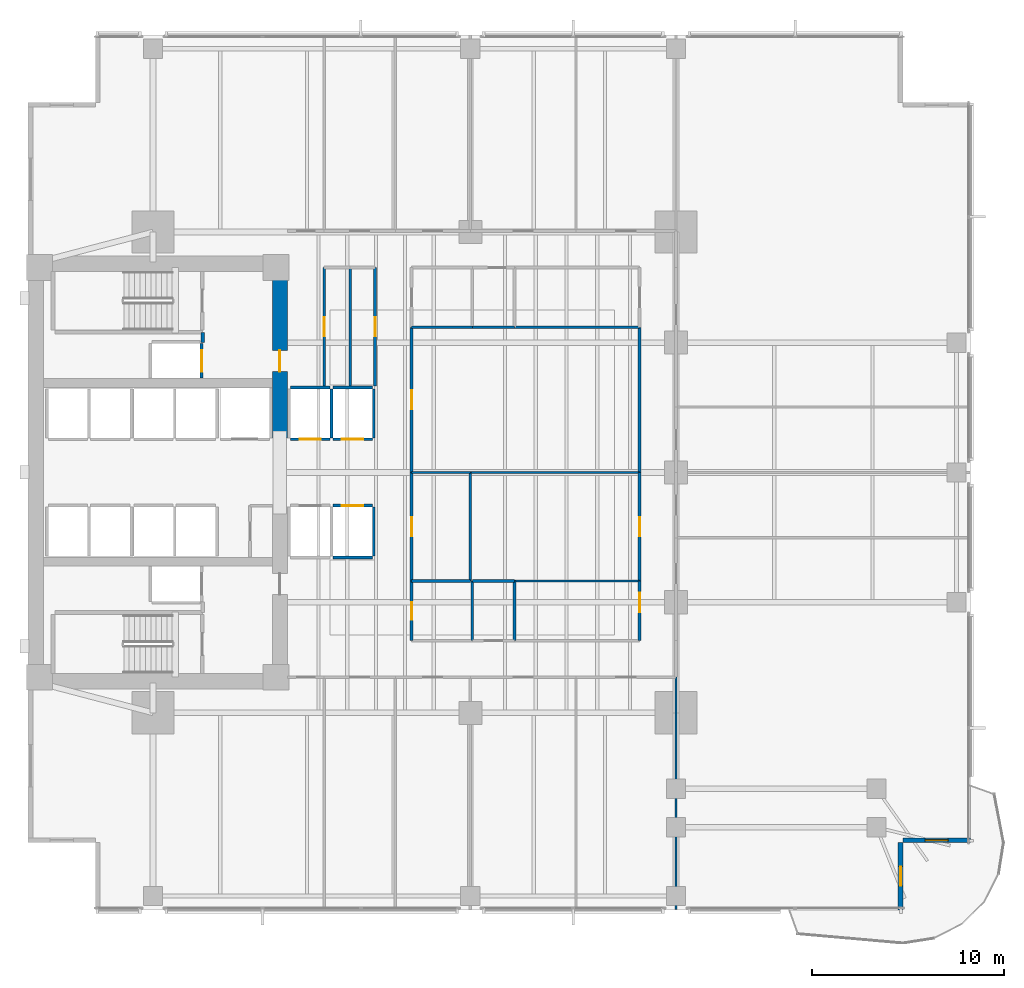
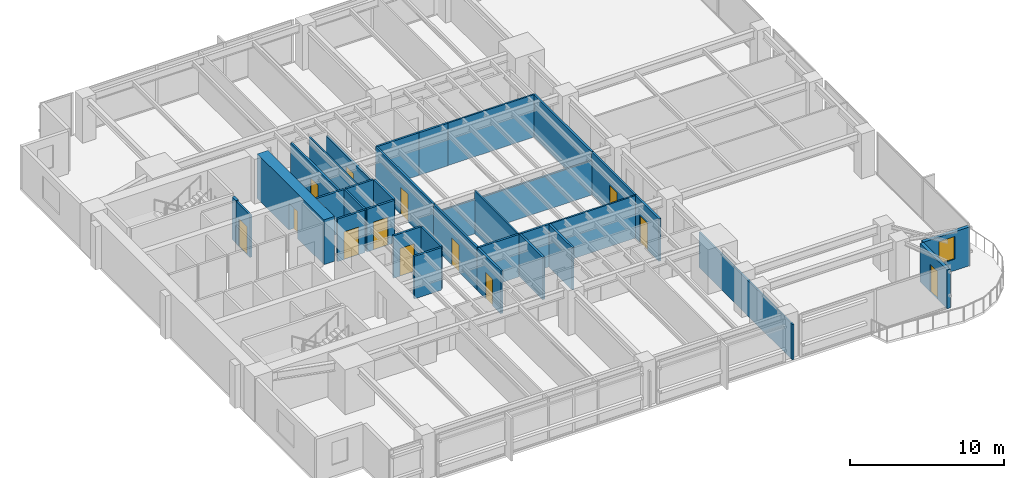
# One storey, part 9 of 15: 35 walls, 13 doors, 1 window, 14 openings.
"""IFC4 building model written with IfcOpenShell, lengths in metres."""

from ifc_helpers import new_model, si_unit, direction, frame, frame_2d, origin, place, context, subcontext, project, spatial, rectangle, extrude, material, layer, layer_set, type_object, element, fill, save


model = new_model("IFC4")

# Units and contexts
model_context = context("Model", 3, precision=1e-05, world=origin(), true_north=direction((0.0, 1.0)))
body_context = subcontext(model_context, "Body", "Model", "MODEL_VIEW")
ifc_project = project(units=[si_unit("LENGTHUNIT", "METRE"), si_unit("AREAUNIT", "SQUARE_METRE"), si_unit("VOLUMEUNIT", "CUBIC_METRE"), si_unit("PLANEANGLEUNIT", "RADIAN"), si_unit("MASSUNIT", "GRAM", prefix="KILO")], contexts=[model_context])

# Site, building, storey
site_placement = place(None, origin())
site = spatial("IfcSite", under=ifc_project, at=site_placement, CompositionType="ELEMENT")
building_placement = place(site_placement, origin())
building = spatial("IfcBuilding", under=site, at=building_placement, Name="Kinhvarn Gate Tower", CompositionType="ELEMENT")
storey_placement = place(building_placement, frame((0.0, 0.0, 57.550048828125)))
storey = spatial("IfcBuildingStorey", under=building, at=storey_placement, Name="L14", CompositionType="ELEMENT", Elevation=57.550048828125)

# Wall, opening, door
ifc_material_1 = material(Name="Concrete C70/85", Category="concrete")
ifc_layer_1 = layer(ifc_material_1, 0.800048828125)
ifc_layer_set_1 = layer_set([ifc_layer_1], Name="Concrete C70/85")
wall_type_1 = type_object("IfcWallType", Name="WL-CORE-800", PredefinedType="SHEAR", material=ifc_layer_set_1)
wall_1_placement = place(storey_placement, frame((17.60009765625, 27.050048828125, 0.0), z_axis=(0.0, 0.0, 1.0), x_axis=(0.0, 1.0, 0.0)))
wall_1 = element("IfcWall", 1, at=wall_1_placement, inside=storey, type_object=wall_type_1, Name="Core East-North Shear Pier L14 800 mm", PredefinedType="SHEAR", context=body_context, shape_type="SweptSolid", body=[
    extrude(rectangle(XDim=8.64990234375, YDim=0.800048828125, at=frame_2d((4.324951171875, 0.0))), origin(), (0.0, 0.0, 1.0), 3.550048828125),
])
opening_1_placement = place(wall_1_placement, frame((3.449951171875, 0.0, 0.0)))
opening_1 = element("IfcOpeningElement", 2, at=opening_1_placement, cuts=wall_1, Name="Opening FD-02", PredefinedType="OPENING", context=body_context, shape_type="SweptSolid", body=[
    extrude(rectangle(XDim=1.10009765625, YDim=2.14990234375, at=frame_2d((0.550048828125, 1.074951171875))), frame((0.0, 0.41015625, 0.0), z_axis=(0.0, -1.0, 0.0), x_axis=(1.0, 0.0, 0.0)), (0.0, 0.0, 1.0), 0.820068359375),
])
ifc_material_2 = material(Name="Anodised aluminium AW-6063", Category="aluminium")
door_type_1 = type_object("IfcDoorType", Name="DR-FD-1100", OperationType="NOTDEFINED", PredefinedType="DOOR", material=ifc_material_2)
door_1_placement = place(opening_1_placement, origin())
door_1 = element("IfcDoor", 3, at=door_1_placement, inside=storey, type_object=door_type_1, Name="Firefighting Lobby Core Door (L14)", OperationType="SINGLE_SWING_LEFT", OverallHeight=2.14990234375, OverallWidth=1.10009765625, PredefinedType="DOOR", context=body_context, shape_type="SweptSolid", body=[
    extrude(rectangle(XDim=1.10009765625, YDim=2.14990234375, at=frame_2d((0.550048828125, 1.074951171875))), frame((0.0, 0.02490234375, 0.0), z_axis=(0.0, -1.0, 0.0), x_axis=(1.0, 0.0, 0.0)), (0.0, 0.0, 1.0), 0.050048828125),
])
fill(opening_1, door_1)

ifc_material_3 = material(Name="Fired architectural terracotta", Category="masonry")
ifc_layer_2 = layer(ifc_material_3, 0.25)
ifc_layer_set_2 = layer_set([ifc_layer_2], Name="Fired architectural terracotta")
wall_type_2 = type_object("IfcWallType", Name="WL-EXT-250", PredefinedType="SOLIDWALL", material=ifc_layer_set_2)
wall_2_placement = place(storey_placement, frame((49.875, 2.5, 0.0), z_axis=(0.0, 0.0, 1.0), x_axis=(0.0, 1.0, 0.0)))
wall_2 = element("IfcWall", 4, at=wall_2_placement, inside=storey, type_object=wall_type_2, Name="Exterior Solidwall Wall EW-250 (L14 SE-Notch-Door)", PredefinedType="SOLIDWALL", context=body_context, shape_type="SweptSolid", body=[
    extrude(rectangle(XDim=3.5, YDim=0.25, at=frame_2d((1.75, 0.0))), origin(), (0.0, 0.0, 1.0), 3.070068359375),
])
opening_2_placement = place(wall_2_placement, frame((1.25, 0.0, 0.0)))
opening_2 = element("IfcOpeningElement", 5, at=opening_2_placement, cuts=wall_2, Name="Opening BD-01", PredefinedType="OPENING", context=body_context, shape_type="SweptSolid", body=[
    extrude(rectangle(XDim=1.0, YDim=2.199951171875, at=frame_2d((0.5, 1.10009765625))), frame((0.0, 0.135009765625, 0.0), z_axis=(0.0, -1.0, 0.0), x_axis=(1.0, 0.0, 0.0)), (0.0, 0.0, 1.0), 0.27001953125),
])
ifc_material_4 = material(Name="Clear low-e double glazing", Category="glass")
door_type_2 = type_object("IfcDoorType", Name="DR-BAL-1000", OperationType="NOTDEFINED", PredefinedType="DOOR", material=ifc_material_4)
door_2_placement = place(opening_2_placement, frame((1.0, 0.0, 0.0), z_axis=(0.0, 0.0, 1.0), x_axis=(-1.0, 0.0, 0.0)))
door_2 = element("IfcDoor", 6, at=door_2_placement, inside=storey, type_object=door_type_2, Name="S-Carve Balcony Door BD-01 (L14)", OperationType="SINGLE_SWING_LEFT", OverallHeight=2.199951171875, OverallWidth=1.0, PredefinedType="DOOR", context=body_context, shape_type="SweptSolid", body=[
    extrude(rectangle(XDim=1.0, YDim=2.199951171875, at=frame_2d((0.5, 1.10009765625))), frame((0.0, 0.02490234375, 0.0), z_axis=(0.0, -1.0, 0.0), x_axis=(1.0, 0.0, 0.0)), (0.0, 0.0, 1.0), 0.050048828125),
])
fill(opening_2, door_2)

# Wall, opening, window
wall_3_placement = place(storey_placement, frame((50.0, 6.125, 0.0), z_axis=(0.0, 0.0, 1.0), x_axis=(1.0, 0.0, 0.0)))
wall_3 = element("IfcWall", 7, at=wall_3_placement, inside=storey, type_object=wall_type_2, Name="Exterior Solidwall Wall EW-250 (L14 SE-Notch-Win)", PredefinedType="SOLIDWALL", context=body_context, shape_type="SweptSolid", body=[
    extrude(rectangle(XDim=3.5, YDim=0.25, at=frame_2d((1.75, 0.0))), origin(), (0.0, 0.0, 1.0), 3.070068359375),
])
opening_3_placement = place(wall_3_placement, frame((1.14990234375, 0.0, 0.89990234375)))
opening_3 = element("IfcOpeningElement", 8, at=opening_3_placement, cuts=wall_3, Name="Opening WN-02", PredefinedType="OPENING", context=body_context, shape_type="SweptSolid", body=[
    extrude(rectangle(XDim=1.199951171875, YDim=1.800048828125, at=frame_2d((0.60009765625, 0.89990234375))), frame((0.0, 0.135009765625, 0.0), z_axis=(0.0, -1.0, 0.0), x_axis=(1.0, 0.0, 0.0)), (0.0, 0.0, 1.0), 0.27001953125),
])
window_type = type_object("IfcWindowType", Name="WIN-NTC-1200", PartitioningType="SINGLE_PANEL", PredefinedType="WINDOW", material=ifc_material_4)
window_placement = place(opening_3_placement, origin())
window = element("IfcWindow", 9, at=window_placement, inside=storey, type_object=window_type, Name="Recessed Corner Notch Punched Window 1200x1800 mm (L14)", OverallHeight=1.800048828125, OverallWidth=1.199951171875, PartitioningType="SINGLE_PANEL", PredefinedType="WINDOW", context=body_context, shape_type="SweptSolid", body=[
    extrude(rectangle(XDim=1.199951171875, YDim=1.800048828125, at=frame_2d((0.60009765625, 0.89990234375))), frame((0.0, 0.030029296875, 0.0), z_axis=(0.0, -1.0, 0.0), x_axis=(1.0, 0.0, 0.0)), (0.0, 0.0, 1.0), 0.06005859375),
])
fill(opening_3, window)

# Walls
ifc_material_5 = material(Name="Gypsum acoustic partition board")
ifc_layer_3 = layer(ifc_material_5, 0.14990234375)
ifc_layer_set_3 = layer_set([ifc_layer_3], Name="Gypsum acoustic partition board")
wall_type_3 = type_object("IfcWallType", Name="WL-PLM-150", PredefinedType="PLUMBINGWALL", material=ifc_layer_set_3)
wall_4_placement = place(storey_placement, frame((27.60009765625, 16.5, 0.0), z_axis=(0.0, 0.0, 1.0), x_axis=(0.0, 1.0, 0.0)))
element("IfcWall", 10, at=wall_4_placement, inside=storey, type_object=wall_type_3, Name="Interior Partition PLW-150 (L14)", PredefinedType="PLUMBINGWALL", context=body_context, shape_type="SweptSolid", body=[
    extrude(rectangle(XDim=3.10009765625, YDim=0.14990234375, at=frame_2d((1.550048828125, 0.0))), origin(), (0.0, 0.0, 1.0), 3.369873046875),
])
wall_5_placement = place(storey_placement, frame((24.449951171875, 19.60009765625, 0.0), z_axis=(0.0, 0.0, 1.0), x_axis=(1.0, 0.0, 0.0)))
element("IfcWall", 11, at=wall_5_placement, inside=storey, type_object=wall_type_3, Name="Interior Partition PLW-150 (L14)", PredefinedType="PLUMBINGWALL", context=body_context, shape_type="SweptSolid", body=[
    extrude(rectangle(XDim=3.050048828125, YDim=0.14990234375, at=frame_2d((1.52490234375, 0.0))), origin(), (0.0, 0.0, 1.0), 3.369873046875),
])
wall_6_placement = place(storey_placement, frame((24.449951171875, 32.800048828125, 0.0), z_axis=(0.0, 0.0, 1.0), x_axis=(1.0, 0.0, 0.0)))
element("IfcWall", 12, at=wall_6_placement, inside=storey, type_object=wall_type_3, Name="Interior Partition PLW-150 (L14)", PredefinedType="PLUMBINGWALL", context=body_context, shape_type="SweptSolid", body=[
    extrude(rectangle(XDim=3.150146484375, YDim=0.14990234375, at=frame_2d((1.5751953125, 0.0))), origin(), (0.0, 0.0, 1.0), 3.369873046875),
])
wall_7_placement = place(storey_placement, frame((29.800048828125, 16.5, 0.0), z_axis=(0.0, 0.0, 1.0), x_axis=(0.0, 1.0, 0.0)))
element("IfcWall", 13, at=wall_7_placement, inside=storey, type_object=wall_type_3, Name="Interior Partition PLW-150 (L14)", PredefinedType="PLUMBINGWALL", context=body_context, shape_type="SweptSolid", body=[
    extrude(rectangle(XDim=3.10009765625, YDim=0.14990234375, at=frame_2d((1.550048828125, 0.0))), origin(), (0.0, 0.0, 1.0), 3.369873046875),
])
for number, where, z_axis, x_axis, name in (
    (14, (27.60009765625, 19.60009765625, 0.0), (0.0, 0.0, 1.0), (1.0, 0.0, 0.0), "Interior Partition PLW-150 (L14)"),
    (15, (27.60009765625, 32.800048828125, 0.0), (0.0, 0.0, 1.0), (1.0, 0.0, 0.0), "Interior Partition PLW-150 (L14)"),
):
    element("IfcWall", number, at=place(storey_placement, frame(where, z_axis=z_axis, x_axis=x_axis)), inside=storey, type_object=wall_type_3, Name=name, PredefinedType="PLUMBINGWALL", context=body_context, shape_type="SweptSolid", body=[
        extrude(rectangle(XDim=2.199951171875, YDim=0.14990234375, at=frame_2d((1.10009765625, 0.0))), origin(), (0.0, 0.0, 1.0), 3.369873046875),
    ])

# Wall, opening, door
ifc_layer_4 = layer(ifc_material_5, 0.14990234375)
ifc_layer_set_4 = layer_set([ifc_layer_4], Name="Gypsum acoustic partition board")
wall_type_4 = type_object("IfcWallType", Name="WL-PLM-150F", PredefinedType="PLUMBINGWALL", material=ifc_layer_set_4)
wall_8_placement = place(storey_placement, frame((24.449951171875, 16.5, 0.0), z_axis=(0.0, 0.0, 1.0), x_axis=(0.0, 1.0, 0.0)))
wall_8 = element("IfcWall", 16, at=wall_8_placement, inside=storey, type_object=wall_type_4, Name="Interior Partition PLW-150F (L14)", PredefinedType="PLUMBINGWALL", context=body_context, shape_type="SweptSolid", body=[
    extrude(rectangle(XDim=3.10009765625, YDim=0.14990234375, at=frame_2d((1.550048828125, 0.0))), origin(), (0.0, 0.0, 1.0), 3.369873046875),
])
opening_4_placement = place(wall_8_placement, frame((1.10009765625, 0.0, 0.0)))
opening_4 = element("IfcOpeningElement", 17, at=opening_4_placement, cuts=wall_8, Name="Opening FD-04", PredefinedType="OPENING", context=body_context, shape_type="SweptSolid", body=[
    extrude(rectangle(XDim=0.89990234375, YDim=2.10009765625, at=frame_2d((0.449951171875, 1.050048828125))), frame((0.0, 0.0849609375, 0.0), z_axis=(0.0, -1.0, 0.0), x_axis=(1.0, 0.0, 0.0)), (0.0, 0.0, 1.0), 0.169921875),
])
door_type_3 = type_object("IfcDoorType", Name="DR-FD-900", OperationType="NOTDEFINED", PredefinedType="DOOR", material=ifc_material_2)
door_3_placement = place(opening_4_placement, origin())
door_3 = element("IfcDoor", 18, at=door_3_placement, inside=storey, type_object=door_type_3, Name="Rated Riser & Service Closet Fire Door 900x2100 mm (L14)", OperationType="SINGLE_SWING_RIGHT", OverallHeight=2.10009765625, OverallWidth=0.89990234375, PredefinedType="DOOR", context=body_context, shape_type="SweptSolid", body=[
    extrude(rectangle(XDim=0.89990234375, YDim=2.10009765625, at=frame_2d((0.449951171875, 1.050048828125))), frame((0.0, 0.02490234375, 0.0), z_axis=(0.0, -1.0, 0.0), x_axis=(1.0, 0.0, 0.0)), (0.0, 0.0, 1.0), 0.050048828125),
])
fill(opening_4, door_3)

# Walls
ifc_layer_5 = layer(ifc_material_5, 0.1201171875)
ifc_layer_set_5 = layer_set([ifc_layer_5], Name="Gypsum acoustic partition board")
wall_type_5 = type_object("IfcWallType", Name="WL-PRT-120", PredefinedType="PARTITIONING", material=ifc_layer_set_5)
wall_9_placement = place(storey_placement, frame((21.25, 29.75, 0.0), z_axis=(0.0, 0.0, 1.0), x_axis=(0.0, 1.0, 0.0)))
element("IfcWall", 19, at=wall_9_placement, inside=storey, type_object=wall_type_5, Name="Interior Partition PW-120 (L14)", PredefinedType="PARTITIONING", context=body_context, shape_type="SweptSolid", body=[
    extrude(rectangle(XDim=6.14990234375, YDim=0.1201171875, at=frame_2d((3.074951171875, 0.0))), origin(), (0.0, 0.0, 1.0), 3.369873046875),
])
for number, where, z_axis, x_axis, name in (
    (20, (29.800048828125, 19.60009765625, 0.0), (0.0, 0.0, 1.0), (1.0, 0.0, 0.0), "Interior Partition PW-120 (L14)"),
    (21, (29.800048828125, 32.800048828125, 0.0), (0.0, 0.0, 1.0), (1.0, 0.0, 0.0), "Interior Partition PW-120 (L14)"),
):
    element("IfcWall", number, at=place(storey_placement, frame(where, z_axis=z_axis, x_axis=x_axis)), inside=storey, type_object=wall_type_5, Name=name, PredefinedType="PARTITIONING", context=body_context, shape_type="SweptSolid", body=[
        extrude(rectangle(XDim=6.5, YDim=0.1201171875, at=frame_2d((3.25, 0.0))), origin(), (0.0, 0.0, 1.0), 3.369873046875),
    ])
wall_10_placement = place(storey_placement, frame((27.5, 19.60009765625, 0.0), z_axis=(0.0, 0.0, 1.0), x_axis=(0.0, 1.0, 0.0)))
element("IfcWall", 22, at=wall_10_placement, inside=storey, type_object=wall_type_5, Name="Interior Partition PW-120 (L14)", PredefinedType="PARTITIONING", context=body_context, shape_type="SweptSolid", body=[
    extrude(rectangle(XDim=5.64990234375, YDim=0.1201171875, at=frame_2d((2.824951171875, 0.0))), origin(), (0.0, 0.0, 1.0), 3.369873046875),
])
wall_11_placement = place(storey_placement, frame((24.449951171875, 25.25, 0.0), z_axis=(0.0, 0.0, 1.0), x_axis=(1.0, 0.0, 0.0)))
element("IfcWall", 23, at=wall_11_placement, inside=storey, type_object=wall_type_5, Name="Interior Partition PW-120 (L14)", PredefinedType="PARTITIONING", context=body_context, shape_type="SweptSolid", body=[
    extrude(rectangle(XDim=3.050048828125, YDim=0.1201171875, at=frame_2d((1.52490234375, 0.0))), origin(), (0.0, 0.0, 1.0), 2.719970703125),
])
wall_12_placement = place(storey_placement, frame((27.5, 25.25, 0.0), z_axis=(0.0, 0.0, 1.0), x_axis=(1.0, 0.0, 0.0)))
element("IfcWall", 24, at=wall_12_placement, inside=storey, type_object=wall_type_5, Name="Interior Partition PW-120 (L14)", PredefinedType="PARTITIONING", context=body_context, shape_type="SweptSolid", body=[
    extrude(rectangle(XDim=8.800048828125, YDim=0.1201171875, at=frame_2d((4.39990234375, 0.0))), origin(), (0.0, 0.0, 1.0), 2.719970703125),
])
wall_13_placement = place(storey_placement, frame((38.199951171875, 2.510009765625, 0.0), z_axis=(0.0, 0.0, 1.0), x_axis=(0.0, 1.0, 0.0)))
element("IfcWall", 25, at=wall_13_placement, inside=storey, type_object=wall_type_5, Name="Interior Partition PW-120 (L14)", PredefinedType="PARTITIONING", context=body_context, shape_type="SweptSolid", body=[
    extrude(rectangle(XDim=12.090087890625, YDim=0.1201171875, at=frame_2d((6.044921875, 0.0))), origin(), (0.0, 0.0, 1.0), 2.820068359375),
])

# Wall, opening, door
ifc_layer_6 = layer(ifc_material_5, 0.14990234375)
ifc_layer_set_6 = layer_set([ifc_layer_6], Name="Gypsum acoustic partition board")
wall_type_6 = type_object("IfcWallType", Name="WL-PRT-150F", PredefinedType="PARTITIONING", material=ifc_layer_set_6)
wall_14_placement = place(storey_placement, frame((22.550048828125, 29.75, 0.0), z_axis=(0.0, 0.0, 1.0), x_axis=(0.0, 1.0, 0.0)))
wall_14 = element("IfcWall", 26, at=wall_14_placement, inside=storey, type_object=wall_type_6, Name="Interior Partition PW-150F (L14)", PredefinedType="PARTITIONING", context=body_context, shape_type="SweptSolid", body=[
    extrude(rectangle(XDim=6.14990234375, YDim=0.14990234375, at=frame_2d((3.074951171875, 0.0))), origin(), (0.0, 0.0, 1.0), 3.010009765625),
])
opening_5_placement = place(wall_14_placement, frame((2.574951171875, 0.0, 0.0)))
opening_5 = element("IfcOpeningElement", 27, at=opening_5_placement, cuts=wall_14, Name="Opening ID-02", PredefinedType="OPENING", context=body_context, shape_type="SweptSolid", body=[
    extrude(rectangle(XDim=1.0, YDim=2.14990234375, at=frame_2d((0.5, 1.074951171875))), frame((0.0, 0.0849609375, 0.0), z_axis=(0.0, -1.0, 0.0), x_axis=(1.0, 0.0, 0.0)), (0.0, 0.0, 1.0), 0.169921875),
])
door_type_4 = type_object("IfcDoorType", Name="DR-INT-1000", OperationType="NOTDEFINED", PredefinedType="DOOR", material=ifc_material_2)
door_4_placement = place(opening_5_placement, origin())
door_4 = element("IfcDoor", 28, at=door_4_placement, inside=storey, type_object=door_type_4, Name="Standard Office & Meeting Room Door 1000x2150 mm (L14)", OperationType="SINGLE_SWING_LEFT", OverallHeight=2.14990234375, OverallWidth=1.0, PredefinedType="DOOR", context=body_context, shape_type="SweptSolid", body=[
    extrude(rectangle(XDim=1.0, YDim=2.14990234375, at=frame_2d((0.5, 1.074951171875))), frame((0.0, 0.02490234375, 0.0), z_axis=(0.0, -1.0, 0.0), x_axis=(1.0, 0.0, 0.0)), (0.0, 0.0, 1.0), 0.050048828125),
])
fill(opening_5, door_4)

wall_15_placement = place(storey_placement, frame((24.449951171875, 19.60009765625, 0.0), z_axis=(0.0, 0.0, 1.0), x_axis=(0.0, 1.0, 0.0)))
wall_15 = element("IfcWall", 29, at=wall_15_placement, inside=storey, type_object=wall_type_6, Name="Interior Partition PW-150F (L14)", PredefinedType="PARTITIONING", context=body_context, shape_type="SweptSolid", body=[
    extrude(rectangle(XDim=5.64990234375, YDim=0.14990234375, at=frame_2d((2.824951171875, 0.0))), origin(), (0.0, 0.0, 1.0), 3.369873046875),
])
opening_6_placement = place(wall_15_placement, frame((2.324951171875, 0.0, 0.0)))
opening_6 = element("IfcOpeningElement", 30, at=opening_6_placement, cuts=wall_15, Name="Opening ID-02", PredefinedType="OPENING", context=body_context, shape_type="SweptSolid", body=[
    extrude(rectangle(XDim=1.0, YDim=2.14990234375, at=frame_2d((0.5, 1.074951171875))), frame((0.0, 0.0849609375, 0.0), z_axis=(0.0, -1.0, 0.0), x_axis=(1.0, 0.0, 0.0)), (0.0, 0.0, 1.0), 0.169921875),
])
door_5_placement = place(opening_6_placement, origin())
door_5 = element("IfcDoor", 31, at=door_5_placement, inside=storey, type_object=door_type_4, Name="Standard Office & Meeting Room Door 1000x2150 mm (L14)", OperationType="SINGLE_SWING_RIGHT", OverallHeight=2.14990234375, OverallWidth=1.0, PredefinedType="DOOR", context=body_context, shape_type="SweptSolid", body=[
    extrude(rectangle(XDim=1.0, YDim=2.14990234375, at=frame_2d((0.5, 1.074951171875))), frame((0.0, 0.02490234375, 0.0), z_axis=(0.0, -1.0, 0.0), x_axis=(1.0, 0.0, 0.0)), (0.0, 0.0, 1.0), 0.050048828125),
])
fill(opening_6, door_5)

wall_16_placement = place(storey_placement, frame((24.449951171875, 25.25, 0.0), z_axis=(0.0, 0.0, 1.0), x_axis=(0.0, 1.0, 0.0)))
wall_16 = element("IfcWall", 32, at=wall_16_placement, inside=storey, type_object=wall_type_6, Name="Interior Partition PW-150F (L14)", PredefinedType="PARTITIONING", context=body_context, shape_type="SweptSolid", body=[
    extrude(rectangle(XDim=7.550048828125, YDim=0.14990234375, at=frame_2d((3.77490234375, 0.0))), origin(), (0.0, 0.0, 1.0), 3.369873046875),
])
opening_7_placement = place(wall_16_placement, frame((3.27490234375, 0.0, 0.0)))
opening_7 = element("IfcOpeningElement", 33, at=opening_7_placement, cuts=wall_16, Name="Opening ID-02", PredefinedType="OPENING", context=body_context, shape_type="SweptSolid", body=[
    extrude(rectangle(XDim=1.0, YDim=2.14990234375, at=frame_2d((0.5, 1.074951171875))), frame((0.0, 0.0849609375, 0.0), z_axis=(0.0, -1.0, 0.0), x_axis=(1.0, 0.0, 0.0)), (0.0, 0.0, 1.0), 0.169921875),
])
door_6_placement = place(opening_7_placement, origin())
door_6 = element("IfcDoor", 34, at=door_6_placement, inside=storey, type_object=door_type_4, Name="Standard Office & Meeting Room Door 1000x2150 mm (L14)", OperationType="SINGLE_SWING_LEFT", OverallHeight=2.14990234375, OverallWidth=1.0, PredefinedType="DOOR", context=body_context, shape_type="SweptSolid", body=[
    extrude(rectangle(XDim=1.0, YDim=2.14990234375, at=frame_2d((0.5, 1.074951171875))), frame((0.0, 0.02490234375, 0.0), z_axis=(0.0, -1.0, 0.0), x_axis=(1.0, 0.0, 0.0)), (0.0, 0.0, 1.0), 0.050048828125),
])
fill(opening_7, door_6)

wall_17_placement = place(storey_placement, frame((19.89990234375, 29.75, 0.0), z_axis=(0.0, 0.0, 1.0), x_axis=(0.0, 1.0, 0.0)))
wall_17 = element("IfcWall", 35, at=wall_17_placement, inside=storey, type_object=wall_type_6, Name="Interior Partition PW-150F (L14)", PredefinedType="PARTITIONING", context=body_context, shape_type="SweptSolid", body=[
    extrude(rectangle(XDim=6.14990234375, YDim=0.14990234375, at=frame_2d((3.074951171875, 0.0))), origin(), (0.0, 0.0, 1.0), 3.369873046875),
])
opening_8_placement = place(wall_17_placement, frame((2.574951171875, 0.0, 0.0)))
opening_8 = element("IfcOpeningElement", 36, at=opening_8_placement, cuts=wall_17, Name="Opening ID-02", PredefinedType="OPENING", context=body_context, shape_type="SweptSolid", body=[
    extrude(rectangle(XDim=1.0, YDim=2.14990234375, at=frame_2d((0.5, 1.074951171875))), frame((0.0, 0.0849609375, 0.0), z_axis=(0.0, -1.0, 0.0), x_axis=(1.0, 0.0, 0.0)), (0.0, 0.0, 1.0), 0.169921875),
])
door_7_placement = place(opening_8_placement, origin())
door_7 = element("IfcDoor", 37, at=door_7_placement, inside=storey, type_object=door_type_4, Name="Standard Office & Meeting Room Door 1000x2150 mm (L14)", OperationType="SINGLE_SWING_RIGHT", OverallHeight=2.14990234375, OverallWidth=1.0, PredefinedType="DOOR", context=body_context, shape_type="SweptSolid", body=[
    extrude(rectangle(XDim=1.0, YDim=2.14990234375, at=frame_2d((0.5, 1.074951171875))), frame((0.0, 0.02490234375, 0.0), z_axis=(0.0, -1.0, 0.0), x_axis=(1.0, 0.0, 0.0)), (0.0, 0.0, 1.0), 0.050048828125),
])
fill(opening_8, door_7)

wall_18_placement = place(storey_placement, frame((36.300048828125, 16.5, 0.0), z_axis=(0.0, 0.0, 1.0), x_axis=(0.0, 1.0, 0.0)))
wall_18 = element("IfcWall", 38, at=wall_18_placement, inside=storey, type_object=wall_type_6, Name="Interior Partition PW-150F (L14)", PredefinedType="PARTITIONING", context=body_context, shape_type="SweptSolid", body=[
    extrude(rectangle(XDim=3.10009765625, YDim=0.14990234375, at=frame_2d((1.550048828125, 0.0))), origin(), (0.0, 0.0, 1.0), 3.369873046875),
])
opening_9_placement = place(wall_18_placement, frame((1.485107421875, 0.0, 0.0)))
opening_9 = element("IfcOpeningElement", 39, at=opening_9_placement, cuts=wall_18, Name="Opening ID-02", PredefinedType="OPENING", context=body_context, shape_type="SweptSolid", body=[
    extrude(rectangle(XDim=1.0, YDim=2.14990234375, at=frame_2d((0.5, 1.074951171875))), frame((0.0, 0.0849609375, 0.0), z_axis=(0.0, -1.0, 0.0), x_axis=(1.0, 0.0, 0.0)), (0.0, 0.0, 1.0), 0.169921875),
])
door_8_placement = place(opening_9_placement, origin())
door_8 = element("IfcDoor", 40, at=door_8_placement, inside=storey, type_object=door_type_4, Name="Standard Office & Meeting Room Door 1000x2150 mm (L14)", OperationType="SINGLE_SWING_LEFT", OverallHeight=2.14990234375, OverallWidth=1.0, PredefinedType="DOOR", context=body_context, shape_type="SweptSolid", body=[
    extrude(rectangle(XDim=1.0, YDim=2.14990234375, at=frame_2d((0.5, 1.074951171875))), frame((0.0, 0.02490234375, 0.0), z_axis=(0.0, -1.0, 0.0), x_axis=(1.0, 0.0, 0.0)), (0.0, 0.0, 1.0), 0.050048828125),
])
fill(opening_9, door_8)

wall_19_placement = place(storey_placement, frame((36.300048828125, 19.60009765625, 0.0), z_axis=(0.0, 0.0, 1.0), x_axis=(0.0, 1.0, 0.0)))
wall_19 = element("IfcWall", 41, at=wall_19_placement, inside=storey, type_object=wall_type_6, Name="Interior Partition PW-150F (L14)", PredefinedType="PARTITIONING", context=body_context, shape_type="SweptSolid", body=[
    extrude(rectangle(XDim=5.64990234375, YDim=0.14990234375, at=frame_2d((2.824951171875, 0.0))), origin(), (0.0, 0.0, 1.0), 3.369873046875),
])
opening_10_placement = place(wall_19_placement, frame((2.324951171875, 0.0, 0.0)))
opening_10 = element("IfcOpeningElement", 42, at=opening_10_placement, cuts=wall_19, Name="Opening ID-02", PredefinedType="OPENING", context=body_context, shape_type="SweptSolid", body=[
    extrude(rectangle(XDim=1.0, YDim=2.14990234375, at=frame_2d((0.5, 1.074951171875))), frame((0.0, 0.0849609375, 0.0), z_axis=(0.0, -1.0, 0.0), x_axis=(1.0, 0.0, 0.0)), (0.0, 0.0, 1.0), 0.169921875),
])
door_9_placement = place(opening_10_placement, origin())
door_9 = element("IfcDoor", 43, at=door_9_placement, inside=storey, type_object=door_type_4, Name="Standard Office & Meeting Room Door 1000x2150 mm (L14)", OperationType="SINGLE_SWING_LEFT", OverallHeight=2.14990234375, OverallWidth=1.0, PredefinedType="DOOR", context=body_context, shape_type="SweptSolid", body=[
    extrude(rectangle(XDim=1.0, YDim=2.14990234375, at=frame_2d((0.5, 1.074951171875))), frame((0.0, 0.02490234375, 0.0), z_axis=(0.0, -1.0, 0.0), x_axis=(1.0, 0.0, 0.0)), (0.0, 0.0, 1.0), 0.050048828125),
])
fill(opening_10, door_9)

# Walls
wall_20_placement = place(storey_placement, frame((36.300048828125, 25.25, 0.0), z_axis=(0.0, 0.0, 1.0), x_axis=(0.0, 1.0, 0.0)))
element("IfcWall", 44, at=wall_20_placement, inside=storey, type_object=wall_type_6, Name="Interior Partition PW-150F (L14)", PredefinedType="PARTITIONING", context=body_context, shape_type="SweptSolid", body=[
    extrude(rectangle(XDim=7.550048828125, YDim=0.14990234375, at=frame_2d((3.77490234375, 0.0))), origin(), (0.0, 0.0, 1.0), 3.369873046875),
])
ifc_layer_7 = layer(ifc_material_5, 0.199951171875)
ifc_layer_set_7 = layer_set([ifc_layer_7], Name="Gypsum acoustic partition board")
wall_type_7 = type_object("IfcWallType", Name="WL-PRT-200", PredefinedType="PARTITIONING", material=ifc_layer_set_7)
wall_21_placement = place(storey_placement, frame((13.580078125, 32.0, 0.0), z_axis=(0.0, 0.0, 1.0), x_axis=(0.0, 1.0, 0.0)))
element("IfcWall", 45, at=wall_21_placement, inside=storey, type_object=wall_type_7, Name="Interior Partition PW-200 (L14)", PredefinedType="PARTITIONING", context=body_context, shape_type="SweptSolid", body=[
    extrude(rectangle(XDim=0.5400390625, YDim=0.199951171875, at=frame_2d((0.27001953125, 0.0))), origin(), (0.0, 0.0, 1.0), 3.369873046875),
])
ifc_layer_8 = layer(ifc_material_5, 0.14990234375)
ifc_layer_set_8 = layer_set([ifc_layer_8], Name="Gypsum acoustic partition board")
wall_type_8 = type_object("IfcWallType", Name="WL-SHF-150", PredefinedType="PARTITIONING", material=ifc_layer_set_8)
wall_22_placement = place(storey_placement, frame((20.35009765625, 20.824951171875, 0.0), z_axis=(0.0, 0.0, 1.0), x_axis=(1.0, 0.0, 0.0)))
element("IfcWall", 46, at=wall_22_placement, inside=storey, type_object=wall_type_8, Name="Elevator PL-02 Hoistway Wall S (L14)", PredefinedType="PARTITIONING", context=body_context, shape_type="SweptSolid", body=[
    extrude(rectangle(XDim=2.0498046875, YDim=0.14990234375, at=frame_2d((1.02490234375, 0.0))), origin(), (0.0, 0.0, 1.0), 3.369873046875),
])

# Wall, opening, door
wall_23_placement = place(storey_placement, frame((20.35009765625, 23.52490234375, 0.0), z_axis=(0.0, 0.0, 1.0), x_axis=(1.0, 0.0, 0.0)))
wall_23 = element("IfcWall", 47, at=wall_23_placement, inside=storey, type_object=wall_type_8, Name="Elevator PL-02 Landing Wall (L14)", PredefinedType="PARTITIONING", context=body_context, shape_type="SweptSolid", body=[
    extrude(rectangle(XDim=2.0498046875, YDim=0.14990234375, at=frame_2d((1.02490234375, 0.0))), origin(), (0.0, 0.0, 1.0), 3.369873046875),
])
opening_11_placement = place(wall_23_placement, frame((0.47509765625, 0.0, 0.0)))
opening_11 = element("IfcOpeningElement", 48, at=opening_11_placement, cuts=wall_23, Name="Opening LD-01", PredefinedType="OPENING", context=body_context, shape_type="SweptSolid", body=[
    extrude(rectangle(XDim=1.10009765625, YDim=2.199951171875, at=frame_2d((0.550048828125, 1.10009765625))), frame((0.0, 0.0849609375, 0.0), z_axis=(0.0, -1.0, 0.0), x_axis=(1.0, 0.0, 0.0)), (0.0, 0.0, 1.0), 0.169921875),
])
door_type_5 = type_object("IfcDoorType", Name="DR-LND-PAS", OperationType="NOTDEFINED", PredefinedType="DOOR", material=ifc_material_2)
door_10_placement = place(opening_11_placement, origin())
door_10 = element("IfcDoor", 49, at=door_10_placement, inside=storey, type_object=door_type_5, Name="Elevator PL-02 Sliding Landing Door (L14)", OperationType="DOUBLE_DOOR_SLIDING", OverallHeight=2.199951171875, OverallWidth=1.10009765625, PredefinedType="DOOR", context=body_context, shape_type="SweptSolid", body=[
    extrude(rectangle(XDim=1.10009765625, YDim=2.199951171875, at=frame_2d((0.550048828125, 1.10009765625))), frame((0.0, 0.02490234375, 0.0), z_axis=(0.0, -1.0, 0.0), x_axis=(1.0, 0.0, 0.0)), (0.0, 0.0, 1.0), 0.050048828125),
])
fill(opening_11, door_10)

# Wall
wall_24_placement = place(storey_placement, frame((22.47509765625, 20.89990234375, 0.0), z_axis=(0.0, 0.0, 1.0), x_axis=(0.0, 1.0, 0.0)))
element("IfcWall", 50, at=wall_24_placement, inside=storey, type_object=wall_type_8, Name="Elevator PL-02 Hoistway Wall E (L14)", PredefinedType="PARTITIONING", context=body_context, shape_type="SweptSolid", body=[
    extrude(rectangle(XDim=2.550048828125, YDim=0.14990234375, at=frame_2d((1.27490234375, 0.0))), origin(), (0.0, 0.0, 1.0), 3.369873046875),
])

# Wall, opening, door
wall_25_placement = place(storey_placement, frame((18.14990234375, 26.97509765625, 0.0), z_axis=(0.0, 0.0, 1.0), x_axis=(1.0, 0.0, 0.0)))
wall_25 = element("IfcWall", 51, at=wall_25_placement, inside=storey, type_object=wall_type_8, Name="Elevator PL-03 Landing Wall (L14)", PredefinedType="PARTITIONING", context=body_context, shape_type="SweptSolid", body=[
    extrude(rectangle(XDim=2.050048828125, YDim=0.14990234375, at=frame_2d((1.02490234375, 0.0))), origin(), (0.0, 0.0, 1.0), 3.369873046875),
])
opening_12_placement = place(wall_25_placement, frame((0.47509765625, 0.0, 0.0)))
opening_12 = element("IfcOpeningElement", 52, at=opening_12_placement, cuts=wall_25, Name="Opening LD-01", PredefinedType="OPENING", context=body_context, shape_type="SweptSolid", body=[
    extrude(rectangle(XDim=1.10009765625, YDim=2.199951171875, at=frame_2d((0.550048828125, 1.10009765625))), frame((0.0, 0.0849609375, 0.0), z_axis=(0.0, -1.0, 0.0), x_axis=(1.0, 0.0, 0.0)), (0.0, 0.0, 1.0), 0.169921875),
])
door_11_placement = place(opening_12_placement, origin())
door_11 = element("IfcDoor", 53, at=door_11_placement, inside=storey, type_object=door_type_5, Name="Elevator PL-03 Sliding Landing Door (L14)", OperationType="DOUBLE_DOOR_SLIDING", OverallHeight=2.199951171875, OverallWidth=1.10009765625, PredefinedType="DOOR", context=body_context, shape_type="SweptSolid", body=[
    extrude(rectangle(XDim=1.10009765625, YDim=2.199951171875, at=frame_2d((0.550048828125, 1.10009765625))), frame((0.0, 0.02490234375, 0.0), z_axis=(0.0, -1.0, 0.0), x_axis=(1.0, 0.0, 0.0)), (0.0, 0.0, 1.0), 0.050048828125),
])
fill(opening_12, door_11)

# Walls
wall_26_placement = place(storey_placement, frame((18.14990234375, 29.675048828125, 0.0), z_axis=(0.0, 0.0, 1.0), x_axis=(1.0, 0.0, 0.0)))
element("IfcWall", 54, at=wall_26_placement, inside=storey, type_object=wall_type_8, Name="Elevator PL-03 Hoistway Wall N (L14)", PredefinedType="PARTITIONING", context=body_context, shape_type="SweptSolid", body=[
    extrude(rectangle(XDim=2.050048828125, YDim=0.14990234375, at=frame_2d((1.02490234375, 0.0))), origin(), (0.0, 0.0, 1.0), 3.369873046875),
])
wall_27_placement = place(storey_placement, frame((20.27490234375, 27.050048828125, 0.0), z_axis=(0.0, 0.0, 1.0), x_axis=(0.0, 1.0, 0.0)))
element("IfcWall", 55, at=wall_27_placement, inside=storey, type_object=wall_type_8, Name="Elevator PL-03 Hoistway Wall E (L14)", PredefinedType="PARTITIONING", context=body_context, shape_type="SweptSolid", body=[
    extrude(rectangle(XDim=2.550048828125, YDim=0.14990234375, at=frame_2d((1.27490234375, 0.0))), origin(), (0.0, 0.0, 1.0), 3.369873046875),
])

# Wall, opening, door
wall_28_placement = place(storey_placement, frame((20.35009765625, 26.97509765625, 0.0), z_axis=(0.0, 0.0, 1.0), x_axis=(1.0, 0.0, 0.0)))
wall_28 = element("IfcWall", 56, at=wall_28_placement, inside=storey, type_object=wall_type_8, Name="Elevator PL-04 Landing Wall (L14)", PredefinedType="PARTITIONING", context=body_context, shape_type="SweptSolid", body=[
    extrude(rectangle(XDim=2.0498046875, YDim=0.14990234375, at=frame_2d((1.02490234375, 0.0))), origin(), (0.0, 0.0, 1.0), 3.369873046875),
])
opening_13_placement = place(wall_28_placement, frame((0.47509765625, 0.0, 0.0)))
opening_13 = element("IfcOpeningElement", 57, at=opening_13_placement, cuts=wall_28, Name="Opening LD-01", PredefinedType="OPENING", context=body_context, shape_type="SweptSolid", body=[
    extrude(rectangle(XDim=1.10009765625, YDim=2.199951171875, at=frame_2d((0.550048828125, 1.10009765625))), frame((0.0, 0.0849609375, 0.0), z_axis=(0.0, -1.0, 0.0), x_axis=(1.0, 0.0, 0.0)), (0.0, 0.0, 1.0), 0.169921875),
])
door_12_placement = place(opening_13_placement, origin())
door_12 = element("IfcDoor", 58, at=door_12_placement, inside=storey, type_object=door_type_5, Name="Elevator PL-04 Sliding Landing Door (L14)", OperationType="DOUBLE_DOOR_SLIDING", OverallHeight=2.199951171875, OverallWidth=1.10009765625, PredefinedType="DOOR", context=body_context, shape_type="SweptSolid", body=[
    extrude(rectangle(XDim=1.10009765625, YDim=2.199951171875, at=frame_2d((0.550048828125, 1.10009765625))), frame((0.0, 0.02490234375, 0.0), z_axis=(0.0, -1.0, 0.0), x_axis=(1.0, 0.0, 0.0)), (0.0, 0.0, 1.0), 0.050048828125),
])
fill(opening_13, door_12)

# Walls
wall_29_placement = place(storey_placement, frame((20.35009765625, 29.675048828125, 0.0), z_axis=(0.0, 0.0, 1.0), x_axis=(1.0, 0.0, 0.0)))
element("IfcWall", 59, at=wall_29_placement, inside=storey, type_object=wall_type_8, Name="Elevator PL-04 Hoistway Wall N (L14)", PredefinedType="PARTITIONING", context=body_context, shape_type="SweptSolid", body=[
    extrude(rectangle(XDim=2.0498046875, YDim=0.14990234375, at=frame_2d((1.02490234375, 0.0))), origin(), (0.0, 0.0, 1.0), 3.369873046875),
])
wall_30_placement = place(storey_placement, frame((22.47509765625, 27.050048828125, 0.0), z_axis=(0.0, 0.0, 1.0), x_axis=(0.0, 1.0, 0.0)))
element("IfcWall", 60, at=wall_30_placement, inside=storey, type_object=wall_type_8, Name="Elevator PL-04 Hoistway Wall E (L14)", PredefinedType="PARTITIONING", context=body_context, shape_type="SweptSolid", body=[
    extrude(rectangle(XDim=2.550048828125, YDim=0.14990234375, at=frame_2d((1.27490234375, 0.0))), origin(), (0.0, 0.0, 1.0), 3.369873046875),
])

# Wall, opening, door
wall_31_placement = place(storey_placement, frame((13.52490234375, 30.14990234375, 0.0), z_axis=(0.0, 0.0, 1.0), x_axis=(0.0, 1.0, 0.0)))
wall_31 = element("IfcWall", 61, at=wall_31_placement, inside=storey, type_object=wall_type_8, Name="Elevator FF2 Landing Wall (L14)", PredefinedType="PARTITIONING", context=body_context, shape_type="SweptSolid", body=[
    extrude(rectangle(XDim=1.800048828125, YDim=0.14990234375, at=frame_2d((0.89990234375, 0.0))), origin(), (0.0, 0.0, 1.0), 3.369873046875),
])
opening_14_placement = place(wall_31_placement, frame((0.35009765625, 0.0, 0.0)))
opening_14 = element("IfcOpeningElement", 62, at=opening_14_placement, cuts=wall_31, Name="Opening LD-03", PredefinedType="OPENING", context=body_context, shape_type="SweptSolid", body=[
    extrude(rectangle(XDim=1.10009765625, YDim=2.199951171875, at=frame_2d((0.550048828125, 1.10009765625))), frame((0.0, 0.0849609375, 0.0), z_axis=(0.0, -1.0, 0.0), x_axis=(1.0, 0.0, 0.0)), (0.0, 0.0, 1.0), 0.169921875),
])
door_type_6 = type_object("IfcDoorType", Name="DR-LND-FF", OperationType="NOTDEFINED", PredefinedType="DOOR", material=ifc_material_2)
door_13_placement = place(opening_14_placement, origin())
door_13 = element("IfcDoor", 63, at=door_13_placement, inside=storey, type_object=door_type_6, Name="Elevator FF2 Sliding Landing Door (L14)", OperationType="DOUBLE_DOOR_SLIDING", OverallHeight=2.199951171875, OverallWidth=1.10009765625, PredefinedType="DOOR", context=body_context, shape_type="SweptSolid", body=[
    extrude(rectangle(XDim=1.10009765625, YDim=2.199951171875, at=frame_2d((0.550048828125, 1.10009765625))), frame((0.0, 0.02490234375, 0.0), z_axis=(0.0, -1.0, 0.0), x_axis=(1.0, 0.0, 0.0)), (0.0, 0.0, 1.0), 0.050048828125),
])
fill(opening_14, door_13)

save(model, "model.ifc")
